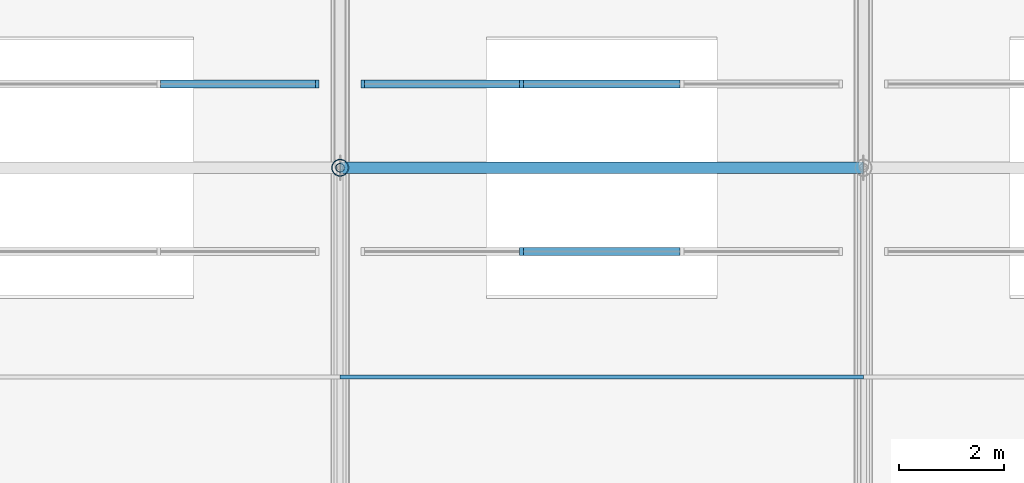
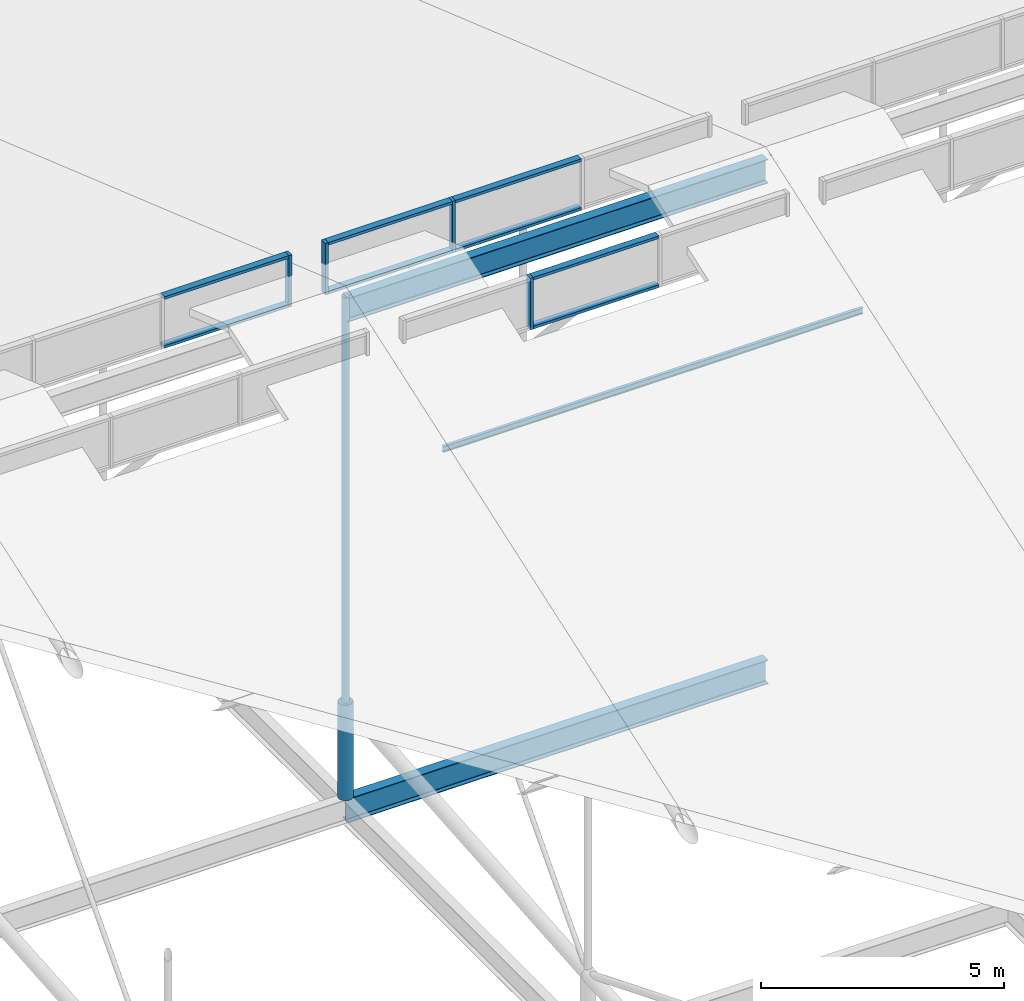
# One storey, part 38 of 93: 15 members, 2 beams, 3 elements without a shape of their own.
"""IFC4 building model written with IfcOpenShell, lengths in metres."""

from ifc_helpers import new_model, si_unit, derived_unit, direction, frame, origin, origin_2d_with_axis, place, context, subcontext, project, spatial, rectangle, hollow_circle, i_section, extrude, material, material_profile, profile_set, type_object, element, aggregate, save


model = new_model("IFC4")

# Units and contexts
model_context = context("Model", 3, precision=1e-05, world=origin(), true_north=direction((0.0, 1.0)))
body_context = subcontext(model_context, "Body", "Model", "MODEL_VIEW")
ifc_project = project(units=[si_unit("LENGTHUNIT", "METRE"), si_unit("AREAUNIT", "SQUARE_METRE"), si_unit("VOLUMEUNIT", "CUBIC_METRE"), si_unit("PLANEANGLEUNIT", "RADIAN"), si_unit("MASSUNIT", "GRAM", prefix="KILO"), derived_unit("THERMALTRANSMITTANCEUNIT", [(si_unit("POWERUNIT", "WATT"), 1), (si_unit("LENGTHUNIT", "METRE"), -2), (si_unit("THERMODYNAMICTEMPERATUREUNIT", "KELVIN"), -1)])], contexts=[model_context])

# Site, building, storey
site_placement = place(None, origin())
site = spatial("IfcSite", under=ifc_project, at=site_placement, CompositionType="ELEMENT")
building_placement = place(site_placement, origin())
building = spatial("IfcBuilding", under=site, at=building_placement, Name="Cinnabar Yard Market Hall", CompositionType="ELEMENT")
storey_placement = place(building_placement, frame((0.0, 0.0, 23.800048828125)))
storey = spatial("IfcBuildingStorey", under=building, at=storey_placement, Name="ROOF", CompositionType="ELEMENT", Elevation=23.800048828125)

# Beams
ifc_material_1 = material(Name="Steel Grade 300 (300 MPa)", Category="steel")
ifc_material_profile_1 = material_profile(ifc_material_1, i_section(OverallWidth=0.22802734375, OverallDepth=0.60205078125, WebThickness=0.010498046875, FlangeThickness=0.014892578125, FilletRadius=0.013916015625, at=origin_2d_with_axis()), Name="610UB101")
ifc_profile_set_1 = profile_set([ifc_material_profile_1], Name="Steel Grade 300 (300 MPa)")
beam_type = type_object("IfcBeamType", Name="BM-B02", PredefinedType="BEAM", material=ifc_profile_set_1)
for number, where, z_axis, x_axis, name in (
    (1, (116.0, 44.0, -9.700927734375), (1.0, 0.0, 0.0), (0.0, 1.0, 0.0), "Hall Longitudinal Tie Girder 00392"),
    (2, (116.0, 44.0, 2.89892578125), (1.0, 0.0, 0.0), (0.0, 1.0, 0.0), "Market Hall Ridge Girder 01595"),
):
    element("IfcBeam", number, at=place(storey_placement, frame(where, z_axis=z_axis, x_axis=x_axis)), inside=storey, type_object=beam_type, Name=name, PredefinedType="BEAM", context=body_context, shape_type="SweptSolid", body=[
        extrude(i_section(OverallWidth=0.22802734375, OverallDepth=0.60205078125, WebThickness=0.010498046875, FlangeThickness=0.014892578125, FilletRadius=0.013916015625, at=origin_2d_with_axis()), origin(), (0.0, 0.0, 1.0), 10.0),
    ])

# Curtain wall, member
ifc_material_2 = material(Name="Anodised aluminium ridge clerestory", Category="aluminium")
curtain_wall_type = type_object("IfcCurtainWallType", Name="CW-CWR092x13", PredefinedType="NOTDEFINED", material=ifc_material_2)
curtain_wall_1_placement = place(storey_placement, origin())
curtain_wall_1 = element("IfcCurtainWall", 3, at=curtain_wall_1_placement, inside=storey, type_object=curtain_wall_type, Name="North Ridge Clerestory 3", PredefinedType="NOTDEFINED")
ifc_material_3 = material(Name="Anodised bronze aluminium", Category="aluminium")
ifc_material_profile_2 = material_profile(ifc_material_3, rectangle(XDim=0.159912109375, YDim=0.070068359375, at=origin_2d_with_axis()), Name="MUL-CWR")
ifc_profile_set_2 = profile_set([ifc_material_profile_2], Name="Anodised bronze aluminium")
member_type_1 = type_object("IfcMemberType", Name="CWM-CWR", PredefinedType="MULLION", material=ifc_profile_set_2)
member_1_placement = place(storey_placement, frame((115.56494140625, 45.60009765625, 2.14990234375), z_axis=(0.0, 0.0, 1.0), x_axis=(0.0, -1.0, 0.0)))
member_1 = element("IfcMember", 4, at=member_1_placement, type_object=member_type_1, Name="CWR092x13 mullion 1", PredefinedType="MULLION", context=body_context, shape_type="SweptSolid", body=[
    extrude(rectangle(XDim=0.159912109375, YDim=0.070068359375, at=origin_2d_with_axis()), origin(), (0.0, 0.0, 1.0), 1.300048828125),
])

curtain_wall_2_placement = place(storey_placement, origin())
curtain_wall_2 = element("IfcCurtainWall", 5, at=curtain_wall_2_placement, inside=storey, type_object=curtain_wall_type, Name="South Ridge Clerestory 4", PredefinedType="NOTDEFINED")
member_2_placement = place(storey_placement, frame((119.466552734375, 42.39990234375, 2.14990234375), z_axis=(0.0, 0.0, 1.0), x_axis=(0.0, 1.0, 0.0)))
member_2 = element("IfcMember", 6, at=member_2_placement, type_object=member_type_1, Name="CWR092x13 mullion 2", PredefinedType="MULLION", context=body_context, shape_type="SweptSolid", body=[
    extrude(rectangle(XDim=0.159912109375, YDim=0.070068359375, at=origin_2d_with_axis()), origin(), (0.0, 0.0, 1.0), 1.300048828125),
])

# Curtain wall, members
curtain_wall_3_placement = place(storey_placement, origin())
curtain_wall_3 = element("IfcCurtainWall", 7, at=curtain_wall_3_placement, inside=storey, type_object=curtain_wall_type, Name="North Ridge Clerestory 4", PredefinedType="NOTDEFINED")
member_3_placement = place(storey_placement, frame((119.466552734375, 45.60009765625, 2.14990234375), z_axis=(0.0, 0.0, 1.0), x_axis=(0.0, -1.0, 0.0)))
member_3 = element("IfcMember", 8, at=member_3_placement, type_object=member_type_1, Name="CWR092x13 mullion 3", PredefinedType="MULLION", context=body_context, shape_type="SweptSolid", body=[
    extrude(rectangle(XDim=0.159912109375, YDim=0.070068359375, at=origin_2d_with_axis()), origin(), (0.0, 0.0, 1.0), 1.300048828125),
])
member_4_placement = place(storey_placement, frame((116.43505859375, 45.60009765625, 2.14990234375), z_axis=(0.0, 0.0, 1.0), x_axis=(0.0, -1.0, 0.0)))
member_4 = element("IfcMember", 9, at=member_4_placement, type_object=member_type_1, Name="CWR092x13 mullion 4", PredefinedType="MULLION", context=body_context, shape_type="SweptSolid", body=[
    extrude(rectangle(XDim=0.159912109375, YDim=0.070068359375, at=origin_2d_with_axis()), origin(), (0.0, 0.0, 1.0), 1.300048828125),
])

# Member
ifc_material_profile_3 = material_profile(ifc_material_3, rectangle(XDim=0.159912109375, YDim=0.070068359375, at=origin_2d_with_axis()), Name="TRN-CWR")
ifc_profile_set_3 = profile_set([ifc_material_profile_3], Name="Anodised bronze aluminium")
member_type_2 = type_object("IfcMemberType", Name="CWT-CWR", PredefinedType="USERDEFINED", material=ifc_profile_set_3)
member_5_placement = place(storey_placement, frame((115.530029296875, 45.60009765625, 2.18505859375), z_axis=(-1.0, 0.0, 0.0), x_axis=(0.0, -1.0, 0.0)))
member_5 = element("IfcMember", 10, at=member_5_placement, type_object=member_type_2, Name="CWR092x13 transom 1.1", ObjectType="TRANSOM", PredefinedType="USERDEFINED", context=body_context, shape_type="SweptSolid", body=[
    extrude(rectangle(XDim=0.159912109375, YDim=0.070068359375, at=origin_2d_with_axis()), origin(), (0.0, 0.0, 1.0), 2.961669921875),
])

member_6_placement = place(storey_placement, frame((115.530029296875, 45.60009765625, 3.4150390625), z_axis=(-1.0, 0.0, 0.0), x_axis=(0.0, -1.0, 0.0)))
member_6 = element("IfcMember", 11, at=member_6_placement, type_object=member_type_2, Name="CWR092x13 transom 1.2", ObjectType="TRANSOM", PredefinedType="USERDEFINED", context=body_context, shape_type="SweptSolid", body=[
    extrude(rectangle(XDim=0.159912109375, YDim=0.070068359375, at=origin_2d_with_axis()), origin(), (0.0, 0.0, 1.0), 2.961669921875),
])

aggregate(curtain_wall_1, [member_1, member_5, member_6])

member_7_placement = place(storey_placement, frame((119.501708984375, 42.39990234375, 2.18505859375), z_axis=(1.0, 0.0, 0.0), x_axis=(0.0, 1.0, 0.0)))
member_7 = element("IfcMember", 12, at=member_7_placement, type_object=member_type_2, Name="CWR092x13 transom 2.1", ObjectType="TRANSOM", PredefinedType="USERDEFINED", context=body_context, shape_type="SweptSolid", body=[
    extrude(rectangle(XDim=0.159912109375, YDim=0.070068359375, at=origin_2d_with_axis()), origin(), (0.0, 0.0, 1.0), 2.99658203125),
])

member_8_placement = place(storey_placement, frame((119.501708984375, 42.39990234375, 3.4150390625), z_axis=(1.0, 0.0, 0.0), x_axis=(0.0, 1.0, 0.0)))
member_8 = element("IfcMember", 13, at=member_8_placement, type_object=member_type_2, Name="CWR092x13 transom 2.2", ObjectType="TRANSOM", PredefinedType="USERDEFINED", context=body_context, shape_type="SweptSolid", body=[
    extrude(rectangle(XDim=0.159912109375, YDim=0.070068359375, at=origin_2d_with_axis()), origin(), (0.0, 0.0, 1.0), 2.99658203125),
])

aggregate(curtain_wall_2, [member_2, member_7, member_8])

member_9_placement = place(storey_placement, frame((122.498291015625, 45.60009765625, 2.18505859375), z_axis=(-1.0, 0.0, 0.0), x_axis=(0.0, -1.0, 0.0)))
member_9 = element("IfcMember", 14, at=member_9_placement, type_object=member_type_2, Name="CWR092x13 transom 2.1", ObjectType="TRANSOM", PredefinedType="USERDEFINED", context=body_context, shape_type="SweptSolid", body=[
    extrude(rectangle(XDim=0.159912109375, YDim=0.070068359375, at=origin_2d_with_axis()), origin(), (0.0, 0.0, 1.0), 2.99658203125),
])

member_10_placement = place(storey_placement, frame((122.498291015625, 45.60009765625, 3.4150390625), z_axis=(-1.0, 0.0, 0.0), x_axis=(0.0, -1.0, 0.0)))
member_10 = element("IfcMember", 15, at=member_10_placement, type_object=member_type_2, Name="CWR092x13 transom 2.2", ObjectType="TRANSOM", PredefinedType="USERDEFINED", context=body_context, shape_type="SweptSolid", body=[
    extrude(rectangle(XDim=0.159912109375, YDim=0.070068359375, at=origin_2d_with_axis()), origin(), (0.0, 0.0, 1.0), 2.99658203125),
])

member_11_placement = place(storey_placement, frame((119.431640625, 45.60009765625, 2.18505859375), z_axis=(-1.0, 0.0, 0.0), x_axis=(0.0, -1.0, 0.0)))
member_11 = element("IfcMember", 16, at=member_11_placement, type_object=member_type_2, Name="CWR092x13 transom 3.1", ObjectType="TRANSOM", PredefinedType="USERDEFINED", context=body_context, shape_type="SweptSolid", body=[
    extrude(rectangle(XDim=0.159912109375, YDim=0.070068359375, at=origin_2d_with_axis()), origin(), (0.0, 0.0, 1.0), 2.961669921875),
])

member_12_placement = place(storey_placement, frame((119.431640625, 45.60009765625, 3.4150390625), z_axis=(-1.0, 0.0, 0.0), x_axis=(0.0, -1.0, 0.0)))
member_12 = element("IfcMember", 17, at=member_12_placement, type_object=member_type_2, Name="CWR092x13 transom 3.2", ObjectType="TRANSOM", PredefinedType="USERDEFINED", context=body_context, shape_type="SweptSolid", body=[
    extrude(rectangle(XDim=0.159912109375, YDim=0.070068359375, at=origin_2d_with_axis()), origin(), (0.0, 0.0, 1.0), 2.961669921875),
])

aggregate(curtain_wall_3, [member_3, member_4, member_9, member_10, member_11, member_12])

# Members
ifc_material_profile_4 = material_profile(ifc_material_1, i_section(OverallWidth=0.074951171875, OverallDepth=0.14990234375, WebThickness=0.0048828125, FlangeThickness=0.007080078125, FilletRadius=0.008056640625, at=origin_2d_with_axis()), Name="150UB14.0")
ifc_profile_set_4 = profile_set([ifc_material_profile_4], Name="Steel Grade 300 (300 MPa)")
member_type_3 = type_object("IfcMemberType", Name="MB-PU07", PredefinedType="PURLIN", material=ifc_profile_set_4)
member_13_placement = place(storey_placement, frame((116.0, 40.0, 1.767578125), z_axis=(1.0, 0.0, 0.0), x_axis=(0.0, 1.0, 0.0)))
element("IfcMember", 18, at=member_13_placement, inside=storey, type_object=member_type_3, Name="Hall Roof Purlin Y40 X116", PredefinedType="PURLIN", context=body_context, shape_type="SweptSolid", body=[
    extrude(i_section(OverallWidth=0.074951171875, OverallDepth=0.14990234375, WebThickness=0.0048828125, FlangeThickness=0.007080078125, FilletRadius=0.008056640625, at=origin_2d_with_axis()), origin(), (0.0, 0.0, 1.0), 10.0),
])
ifc_material_4 = material(Name="Spotted-gum glulam-clad steel Grade 350 (350 MPa)", Category="steel")
ifc_material_profile_5 = material_profile(ifc_material_4, hollow_circle(Radius=0.161865234375, WallThickness=0.009521484375, at=origin_2d_with_axis()), Name="323.9x9.5CHS")
ifc_profile_set_5 = profile_set([ifc_material_profile_5], Name="Spotted-gum glulam-clad steel Grade 350 (350 MPa)")
member_type_4 = type_object("IfcMemberType", Name="MB-ST01", PredefinedType="STRUT", material=ifc_profile_set_5)
member_14_placement = place(storey_placement, frame((116.0, 44.0, -9.400146484375), z_axis=(0.0, 0.0, 1.0), x_axis=(1.0, 0.0, 0.0)))
element("IfcMember", 19, at=member_14_placement, inside=storey, type_object=member_type_4, Name="Truss Bearing Post 116-44", PredefinedType="STRUT", context=body_context, shape_type="SweptSolid", body=[
    extrude(hollow_circle(Radius=0.161865234375, WallThickness=0.009521484375, at=origin_2d_with_axis()), origin(), (0.0, 0.0, 1.0), 2.400146484375),
])
ifc_material_5 = material(Name="Cold-formed steel C350L0", Category="steel")
ifc_material_profile_6 = material_profile(ifc_material_5, hollow_circle(Radius=0.084228515625, WallThickness=0.00634765625, at=origin_2d_with_axis()), Name="168.3x6.4CHS")
ifc_profile_set_6 = profile_set([ifc_material_profile_6], Name="Cold-formed steel C350L0")
member_type_5 = type_object("IfcMemberType", Name="MB-WB01", PredefinedType="STRUT", material=ifc_profile_set_6)
member_15_placement = place(storey_placement, frame((116.0, 44.0, -7.0), z_axis=(0.0, 0.0, 1.0), x_axis=(1.0, 0.0, 0.0)))
element("IfcMember", 20, at=member_15_placement, inside=storey, type_object=member_type_5, Name="Hall Truss 116 Post 3", PredefinedType="STRUT", context=body_context, shape_type="SweptSolid", body=[
    extrude(hollow_circle(Radius=0.084228515625, WallThickness=0.00634765625, at=origin_2d_with_axis()), origin(), (0.0, 0.0, 1.0), 10.199951171875),
])

save(model, "model.ifc")
